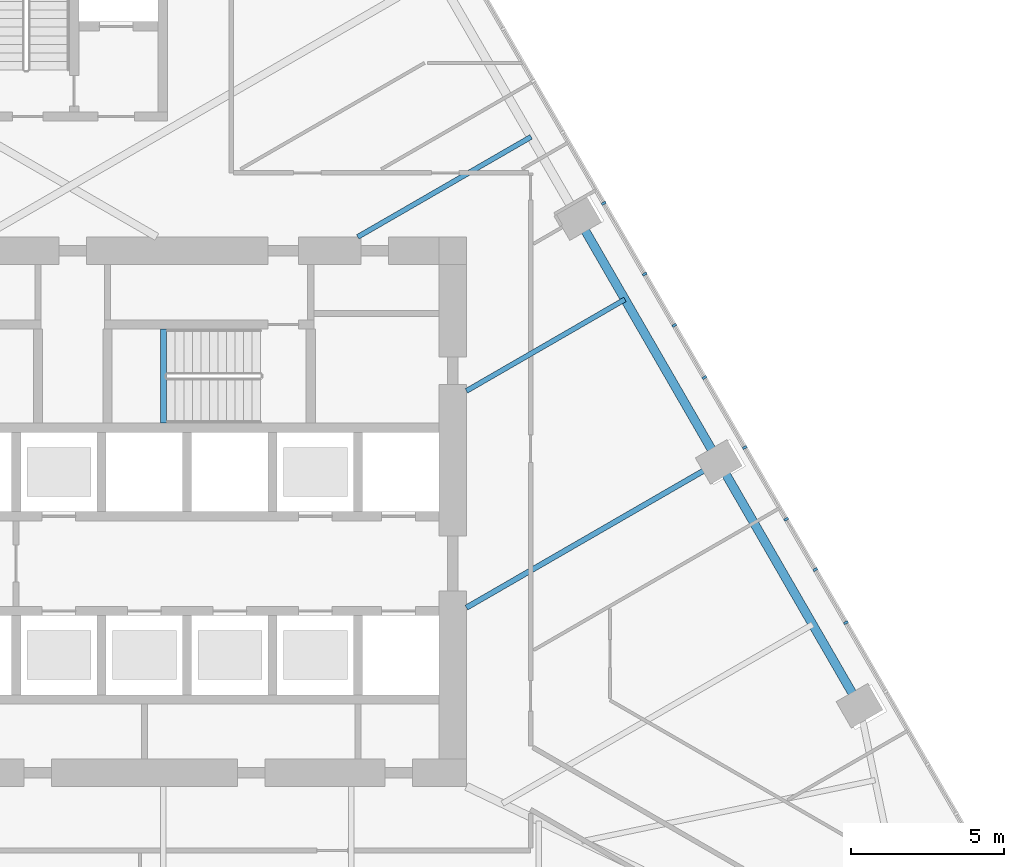
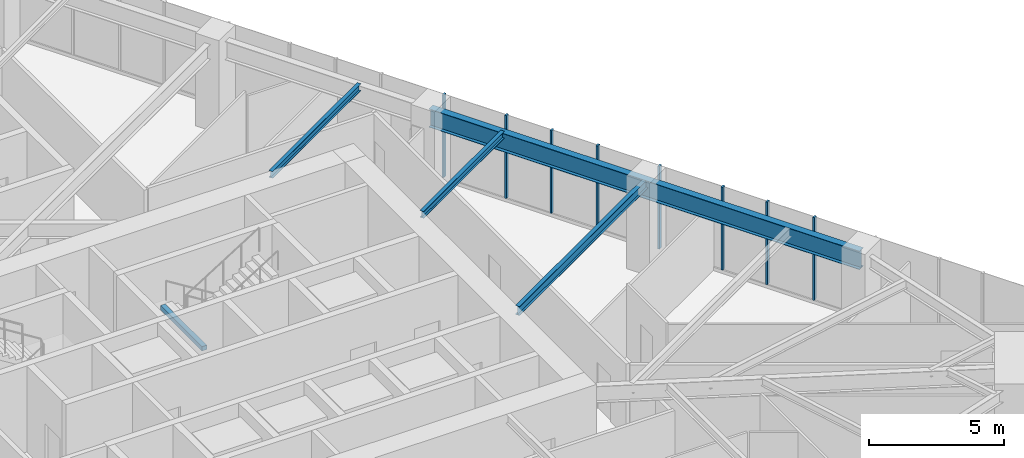
# One storey, part 7 of 19: 8 members, 5 beams, 1 element without a shape of its own.
"""IFC4 building model written with IfcOpenShell, lengths in metres."""

import ifcopenshell
import ifcopenshell.guid

model = None  # the IFC model being written
_history = None  # IfcOwnerHistory: only IFC2X3 demands one
_inside = {}  # id of a spatial element -> (the spatial element, [elements in it])
_under = {}  # id of a project, library or spatial element -> (it, [spatial elements below it])
_declared = {}  # id of a project -> (the project, [libraries it declares])
_typed = {}  # id of a type object -> (the type object, [elements of that type])
_made_of = {}  # id of a material, layer set ... -> (it, [elements and type objects made of it])


def new_model(schema):
    """Start an empty IFC model of exactly this schema.

    Asked for "IFC4X3", IfcOpenShell would pick the latest addendum, in which some entities
    have other attributes; the version numbers below select the first issue.
    IFC2X3 requires an IfcOwnerHistory on every rooted entity: one is made here for all.
    """
    global model, _history
    if schema == "IFC4X3":
        model = ifcopenshell.file(schema_version=(4, 3, 0, 0))
    else:
        model = ifcopenshell.file(schema=schema)
    _inside.clear()
    _under.clear()
    _declared.clear()
    _typed.clear()
    _made_of.clear()
    _history = None
    if model.schema == "IFC2X3":
        org = make("IfcOrganization", Name="unknown")
        user = make(
            "IfcPersonAndOrganization",
            ThePerson=make("IfcPerson", FamilyName="unknown"),
            TheOrganization=org,
        )
        app = make(
            "IfcApplication",
            ApplicationDeveloper=org,
            Version="unknown",
            ApplicationFullName="unknown",
            ApplicationIdentifier="unknown",
        )
        _history = make(
            "IfcOwnerHistory",
            OwningUser=user,
            OwningApplication=app,
            ChangeAction="ADDED",
            CreationDate=0,
        )
    return model


def make(cls, **values):
    """One entity of the class cls with the attributes given. An attribute that is None is left unset."""
    return model.create_entity(
        cls, **{name: value for name, value in values.items() if value is not None}
    )


def rooted(cls, **values):
    """An entity with a GlobalId (a new one), such as an element, a storey or a relation."""
    return make(cls, GlobalId=ifcopenshell.guid.new(), OwnerHistory=_history, **values)


def si_unit(unit_type, name, prefix=None):
    """IfcSIUnit, for example si_unit("LENGTHUNIT", "METRE", prefix="MILLI")."""
    return make("IfcSIUnit", UnitType=unit_type, Prefix=prefix, Name=name)


def assignment(units):
    """IfcUnitAssignment: the units of a project."""
    return None if units is None else make("IfcUnitAssignment", Units=units)


def point(xyz):
    """IfcCartesianPoint."""
    return None if xyz is None else make("IfcCartesianPoint", Coordinates=xyz)


def direction(xyz):
    """IfcDirection."""
    return None if xyz is None else make("IfcDirection", DirectionRatios=xyz)


def frame(location, z_axis=None, x_axis=None):
    """IfcAxis2Placement3D, a coordinate frame: its origin and axes. An axis left out is left unset."""
    return make(
        "IfcAxis2Placement3D",
        Location=point(location),
        Axis=direction(z_axis),
        RefDirection=direction(x_axis),
    )


def frame_2d(location, x_axis=None):
    """IfcAxis2Placement2D, a coordinate frame in the plane: its origin and x axis."""
    return make(
        "IfcAxis2Placement2D", Location=point(location), RefDirection=direction(x_axis)
    )


def origin():
    """The frame at (0, 0, 0) with its axes left unset."""
    return frame((0.0, 0.0, 0.0))


def origin_2d():
    """The frame at (0, 0) in the plane with its x axis left unset."""
    return frame_2d((0.0, 0.0))


def place(relative_to, where):
    """IfcLocalPlacement: puts the frame where relative to a parent placement (None: the world)."""
    return make(
        "IfcLocalPlacement", PlacementRelTo=relative_to, RelativePlacement=where
    )


def context(
    kind, dimensions, precision=None, world=None, true_north=None, identifier=None
):
    """IfcGeometricRepresentationContext, for example the 3D "Model" context."""
    return make(
        "IfcGeometricRepresentationContext",
        ContextIdentifier=identifier,
        ContextType=kind,
        CoordinateSpaceDimension=dimensions,
        Precision=precision,
        WorldCoordinateSystem=world,
        TrueNorth=true_north,
    )


def subcontext(parent, identifier, kind, view, scale=None):
    """IfcGeometricRepresentationSubContext, for example "Body" below "Model"."""
    return make(
        "IfcGeometricRepresentationSubContext",
        ContextIdentifier=identifier,
        ContextType=kind,
        ParentContext=parent,
        TargetScale=scale,
        TargetView=view,
    )


def project(units=None, contexts=None):
    """IfcProject with its units and contexts."""
    return rooted(
        "IfcProject",
        Name="project",
        RepresentationContexts=contexts,
        UnitsInContext=assignment(units),
    )


def spatial(cls, under=None, at=None, **own):
    """A site, building, storey or space (cls), placed at a placement, below another one or the project."""
    s = rooted(cls, ObjectPlacement=at, **own)
    if under is not None:
        _under.setdefault(under.id(), (under, []))[1].append(s)
    return s


def profile(cls, at=None, kind="AREA", **sizes):
    """A parametric profile (cls). Its sizes go by their IFC names, for example OverallWidth=200.0."""
    return make(cls, ProfileType=kind, Position=at, **sizes)


def rectangle(**sizes):
    """IfcRectangleProfileDef."""
    return profile("IfcRectangleProfileDef", **sizes)


def i_section(**sizes):
    """IfcIShapeProfileDef."""
    return profile("IfcIShapeProfileDef", **sizes)


def extrude(swept, where, along, depth):
    """IfcExtrudedAreaSolid: the profile swept, set in the frame where, extruded along a direction by depth."""
    return make(
        "IfcExtrudedAreaSolid",
        SweptArea=swept,
        Position=where,
        ExtrudedDirection=direction(along),
        Depth=depth,
    )


def shape(context_of_items, identifier, shape_type, items):
    """IfcShapeRepresentation: the items that make up one representation, for example the "Body"."""
    return make(
        "IfcShapeRepresentation",
        ContextOfItems=context_of_items,
        RepresentationIdentifier=identifier,
        RepresentationType=shape_type,
        Items=items,
    )


def material(Name=None, Category=None):
    """IfcMaterial."""
    return make("IfcMaterial", Name=Name, Category=Category)


def layer(
    of_material, thickness, ventilated=None, Name=None, Category=None, Priority=None
):
    """IfcMaterialLayer: one layer of a wall or slab, of a material (None: an air gap)."""
    return make(
        "IfcMaterialLayer",
        Material=of_material,
        LayerThickness=thickness,
        IsVentilated=ventilated,
        Name=Name,
        Category=Category,
        Priority=Priority,
    )


def layer_set(layers, Name=None):
    """IfcMaterialLayerSet."""
    return make("IfcMaterialLayerSet", MaterialLayers=layers, LayerSetName=Name)


def material_profile(
    of_material, cross_section, Name=None, Category=None, Priority=None
):
    """IfcMaterialProfile: a cross section and its material."""
    return make(
        "IfcMaterialProfile",
        Name=Name,
        Material=of_material,
        Profile=cross_section,
        Priority=Priority,
        Category=Category,
    )


def profile_set(profiles, Name=None, composite=None):
    """IfcMaterialProfileSet."""
    return make(
        "IfcMaterialProfileSet",
        Name=Name,
        MaterialProfiles=profiles,
        CompositeProfile=composite,
    )


def made_of(thing, what):
    """Note that an element or type object is made of a material, layer set ...; save() writes the relation."""
    if what is not None:
        _made_of.setdefault(what.id(), (what, []))[1].append(thing)
    return thing


def type_object(cls, material=None, **own):
    """A type object (cls), such as IfcWallType, which elements share."""
    return made_of(rooted(cls, **own), material)


def element(
    cls,
    number,
    at=None,
    inside=None,
    cuts=None,
    type_object=None,
    material=None,
    context=None,
    identifier="Body",
    shape_type=None,
    held_by="IfcProductDefinitionShape",
    body=None,
    shapes=None,
    **own,
):
    """One element of the class cls, such as IfcWall. Its Tag is "e" and its number.

    at: its placement. inside: the storey or other place that contains it. cuts: it is an
    opening in that element (IfcRelVoidsElement). A single representation is given by context,
    identifier, shape_type and body (its items); several are given by shapes. held_by: the class
    of the entity that holds the representations. save() writes the other relations.
    """
    e = rooted(cls, Tag="e%d" % number, ObjectPlacement=at, **own)
    if body is not None:
        shapes = [shape(context, identifier, shape_type, body)]
    if shapes is not None:
        e.Representation = make(held_by, Representations=shapes)
    if inside is not None:
        _inside.setdefault(inside.id(), (inside, []))[1].append(e)
    if cuts is not None:
        rooted(
            "IfcRelVoidsElement", RelatingBuildingElement=cuts, RelatedOpeningElement=e
        )
    if type_object is not None:
        _typed.setdefault(type_object.id(), (type_object, []))[1].append(e)
    return made_of(e, material)


def aggregate(whole, parts):
    """IfcRelAggregates: a whole, such as a stair, and the parts it consists of."""
    return rooted("IfcRelAggregates", RelatingObject=whole, RelatedObjects=parts)


def save(model, path):
    """Write the relations noted so far, then the file.

    IfcRelAggregates (storeys below a building ...), IfcRelContainedInSpatialStructure (elements
    in a storey), IfcRelDefinesByType, IfcRelAssociatesMaterial and IfcRelDeclares: one each for
    every whole, place, type object, material and project.
    """
    for whole, parts in _under.values():
        aggregate(whole, parts)
    for where, things in _inside.values():
        rooted(
            "IfcRelContainedInSpatialStructure",
            RelatedElements=things,
            RelatingStructure=where,
        )
    for kind, things in _typed.values():
        rooted("IfcRelDefinesByType", RelatedObjects=things, RelatingType=kind)
    for what, things in _made_of.values():
        rooted("IfcRelAssociatesMaterial", RelatedObjects=things, RelatingMaterial=what)
    for by, libraries in _declared.values():
        rooted("IfcRelDeclares", RelatingContext=by, RelatedDefinitions=libraries)
    model.write(path)


model = new_model("IFC4")

# Units and contexts
model_context = context("Model", 3, precision=1e-05, world=origin(), true_north=direction((0.0, 1.0)))
body_context = subcontext(model_context, "Body", "Model", "MODEL_VIEW")
ifc_project = project(units=[si_unit("LENGTHUNIT", "METRE"), si_unit("AREAUNIT", "SQUARE_METRE"), si_unit("VOLUMEUNIT", "CUBIC_METRE"), si_unit("PLANEANGLEUNIT", "RADIAN"), si_unit("MASSUNIT", "GRAM", prefix="KILO")], contexts=[model_context])

# Site, building, storey
site_placement = place(None, origin())
site = spatial("IfcSite", under=ifc_project, at=site_placement, CompositionType="ELEMENT")
building_placement = place(site_placement, origin())
building = spatial("IfcBuilding", under=site, at=building_placement, Name="Firuza Gate Tower and Library", CompositionType="ELEMENT")
storey_placement = place(building_placement, frame((0.0, 0.0, 136.60009765625)))
storey = spatial("IfcBuildingStorey", under=building, at=storey_placement, Name="L31", CompositionType="ELEMENT", Elevation=136.60009765625)

# Curtain wall, members
ifc_material_1 = material(Name="Aluminium 6063-T6", Category="aluminium")
ifc_layer = layer(ifc_material_1, 0.14990234375)
ifc_layer_set = layer_set([ifc_layer], Name="Unitised curtain wall, offices")
curtain_wall_type = type_object("IfcCurtainWallType", Name="Unitised curtain wall, offices", PredefinedType="NOTDEFINED", material=ifc_layer_set)
curtain_wall_placement = place(storey_placement, origin())
curtain_wall = element("IfcCurtainWall", 1, at=curtain_wall_placement, inside=storey, type_object=curtain_wall_type, Name="CW1 L31 E face", PredefinedType="NOTDEFINED")
ifc_material_2 = material(Name="Aluminium 6063-T6", Category="aluminium")
ifc_material_profile_1 = material_profile(ifc_material_2, rectangle(XDim=0.14990234375, YDim=0.080078125, at=origin_2d()))
ifc_profile_set_1 = profile_set([ifc_material_profile_1], Name="Aluminium 6063-T6")
member_type = type_object("IfcMemberType", Name="Curtain wall mullion 80x150", PredefinedType="MULLION", material=ifc_profile_set_1)
member_1_placement = place(storey_placement, frame((99.427734375, 73.103515625, 0.14990234375), z_axis=(0.0, 0.0, 1.0), x_axis=(-0.866025403784, -0.5, 0.0)))
member_1 = element("IfcMember", 2, at=member_1_placement, type_object=member_type, Name="Mullion", PredefinedType="MULLION", context=body_context, shape_type="SweptSolid", body=[
    extrude(rectangle(XDim=0.14990234375, YDim=0.080078125, at=origin_2d()), origin(), (0.0, 0.0, 1.0), 3.75),
])
member_2_placement = place(storey_placement, frame((97.118408203125, 77.103515625, 0.14990234375), z_axis=(0.0, 0.0, 1.0), x_axis=(-0.866025403784, -0.5, 0.0)))
member_2 = element("IfcMember", 3, at=member_2_placement, type_object=member_type, Name="Mullion", PredefinedType="MULLION", context=body_context, shape_type="SweptSolid", body=[
    extrude(rectangle(XDim=0.14990234375, YDim=0.080078125, at=origin_2d()), origin(), (0.0, 0.0, 1.0), 3.75),
])
member_3_placement = place(storey_placement, frame((94.80908203125, 81.103515625, 0.14990234375), z_axis=(0.0, 0.0, 1.0), x_axis=(-0.866025403784, -0.5, 0.0)))
member_3 = element("IfcMember", 4, at=member_3_placement, type_object=member_type, Name="Mullion", PredefinedType="MULLION", context=body_context, shape_type="SweptSolid", body=[
    extrude(rectangle(XDim=0.14990234375, YDim=0.080078125, at=origin_2d()), origin(), (0.0, 0.0, 1.0), 3.75),
])
member_4_placement = place(storey_placement, frame((92.499755859375, 85.103515625, 0.14990234375), z_axis=(0.0, 0.0, 1.0), x_axis=(-0.866025403784, -0.5, 0.0)))
member_4 = element("IfcMember", 5, at=member_4_placement, type_object=member_type, Name="Mullion", PredefinedType="MULLION", context=body_context, shape_type="SweptSolid", body=[
    extrude(rectangle(XDim=0.14990234375, YDim=0.080078125, at=origin_2d()), origin(), (0.0, 0.0, 1.0), 3.75),
])
member_5_placement = place(storey_placement, frame((100.431884765625, 71.3642578125, 0.14990234375), z_axis=(0.0, 0.0, 1.0), x_axis=(-0.866025403784, -0.5, 0.0)))
member_5 = element("IfcMember", 6, at=member_5_placement, type_object=member_type, Name="Mullion", PredefinedType="MULLION", context=body_context, shape_type="SweptSolid", body=[
    extrude(rectangle(XDim=0.14990234375, YDim=0.080078125, at=origin_2d()), origin(), (0.0, 0.0, 1.0), 3.75),
])
member_6_placement = place(storey_placement, frame((98.475830078125, 74.75244140625, 0.14990234375), z_axis=(0.0, 0.0, 1.0), x_axis=(-0.866025403784, -0.5, 0.0)))
member_6 = element("IfcMember", 7, at=member_6_placement, type_object=member_type, Name="Mullion", PredefinedType="MULLION", context=body_context, shape_type="SweptSolid", body=[
    extrude(rectangle(XDim=0.14990234375, YDim=0.080078125, at=origin_2d()), origin(), (0.0, 0.0, 1.0), 3.75),
])
member_7_placement = place(storey_placement, frame((95.795654296875, 79.394287109375, 0.14990234375), z_axis=(0.0, 0.0, 1.0), x_axis=(-0.866025403784, -0.5, 0.0)))
member_7 = element("IfcMember", 8, at=member_7_placement, type_object=member_type, Name="Mullion", PredefinedType="MULLION", context=body_context, shape_type="SweptSolid", body=[
    extrude(rectangle(XDim=0.14990234375, YDim=0.080078125, at=origin_2d()), origin(), (0.0, 0.0, 1.0), 3.75),
])
member_8_placement = place(storey_placement, frame((93.839599609375, 82.782470703125, 0.14990234375), z_axis=(0.0, 0.0, 1.0), x_axis=(-0.866025403784, -0.5, 0.0)))
member_8 = element("IfcMember", 9, at=member_8_placement, type_object=member_type, Name="Mullion", PredefinedType="MULLION", context=body_context, shape_type="SweptSolid", body=[
    extrude(rectangle(XDim=0.14990234375, YDim=0.080078125, at=origin_2d()), origin(), (0.0, 0.0, 1.0), 3.75),
])
aggregate(curtain_wall, [member_1, member_2, member_3, member_4, member_5, member_6, member_7, member_8])

# Beams
ifc_material_3 = material(Name="Concrete C35/45", Category="concrete")
ifc_material_profile_2 = material_profile(ifc_material_3, rectangle(XDim=0.199951171875, YDim=0.199951171875, at=origin_2d()))
ifc_profile_set_2 = profile_set([ifc_material_profile_2], Name="Concrete C35/45")
beam_type_1 = type_object("IfcBeamType", Name="Stair landing bearer 200x200", PredefinedType="BEAM", material=ifc_profile_set_2)
beam_1_placement = place(storey_placement, frame((78.080078125, 80.97998046875, 1.7998046875), z_axis=(0.0, -1.0, 0.0), x_axis=(1.0, 0.0, 0.0)))
element("IfcBeam", 10, at=beam_1_placement, inside=storey, type_object=beam_type_1, Name="Landing bearer L31 stair 2", PredefinedType="BEAM", context=body_context, shape_type="SweptSolid", body=[
    extrude(rectangle(XDim=0.199951171875, YDim=0.199951171875, at=origin_2d()), origin(), (0.0, 0.0, 1.0), 3.080078125),
])
ifc_material_4 = material(Name="Steel S355", Category="steel")
ifc_material_profile_3 = material_profile(ifc_material_4, i_section(OverallWidth=0.1650390625, OverallDepth=0.31005859375, WebThickness=0.005859375, FlangeThickness=0.009765625, at=origin_2d()))
ifc_profile_set_3 = profile_set([ifc_material_profile_3], Name="Steel S355")
beam_type_2 = type_object("IfcBeamType", Name="W310x39 Floor beam", PredefinedType="JOIST", material=ifc_profile_set_3)
beam_2_placement = place(storey_placement, frame((93.1923828125, 81.953369140625, 3.744873046875), z_axis=(-0.866026911773, -0.499997388079, 0.0), x_axis=(0.499997388079, -0.866026911773, 0.0)))
element("IfcBeam", 11, at=beam_2_placement, inside=storey, type_object=beam_type_2, Name="Floor beam L31 s52", PredefinedType="JOIST", context=body_context, shape_type="SweptSolid", body=[
    extrude(i_section(OverallWidth=0.1650390625, OverallDepth=0.31005859375, WebThickness=0.005859375, FlangeThickness=0.009765625, at=origin_2d()), origin(), (0.0, 0.0, 1.0), 5.99560546875),
])
beam_3_placement = place(storey_placement, frame((90.1181640625, 87.2783203125, 3.744873046875), z_axis=(-0.866034914745, -0.499983526171, 0.0), x_axis=(0.499983526171, -0.866034914745, 0.0)))
element("IfcBeam", 12, at=beam_3_placement, inside=storey, type_object=beam_type_2, Name="Floor beam L31 s53", PredefinedType="JOIST", context=body_context, shape_type="SweptSolid", body=[
    extrude(i_section(OverallWidth=0.1650390625, OverallDepth=0.31005859375, WebThickness=0.005859375, FlangeThickness=0.009765625, at=origin_2d()), origin(), (0.0, 0.0, 1.0), 6.556884765625),
])
ifc_material_5 = material(Name="Steel S355", Category="steel")
ifc_material_profile_4 = material_profile(ifc_material_5, i_section(OverallWidth=0.177978515625, OverallDepth=0.406982421875, WebThickness=0.0078125, FlangeThickness=0.0126953125, at=origin_2d()))
ifc_profile_set_4 = profile_set([ifc_material_profile_4], Name="Steel S355")
beam_type_3 = type_object("IfcBeamType", Name="W410x60 Floor beam", PredefinedType="JOIST", material=ifc_profile_set_4)
beam_4_placement = place(storey_placement, frame((96.266845703125, 76.62841796875, 3.6962890625), z_axis=(-0.866032684974, -0.499987388398, 0.0), x_axis=(0.499987388398, -0.866032684974, 0.0)))
element("IfcBeam", 13, at=beam_4_placement, inside=storey, type_object=beam_type_3, Name="Floor beam L31 s51", PredefinedType="JOIST", context=body_context, shape_type="SweptSolid", body=[
    extrude(i_section(OverallWidth=0.177978515625, OverallDepth=0.406982421875, WebThickness=0.0078125, FlangeThickness=0.0126953125, at=origin_2d()), origin(), (0.0, 0.0, 1.0), 9.545654296875),
])
ifc_material_6 = material(Name="Steel S355", Category="steel")
ifc_material_profile_5 = material_profile(ifc_material_6, i_section(OverallWidth=0.2919921875, OverallDepth=0.8349609375, WebThickness=0.013916015625, FlangeThickness=0.018798828125, at=origin_2d()))
ifc_profile_set_5 = profile_set([ifc_material_profile_5], Name="Steel S355")
beam_type_4 = type_object("IfcBeamType", Name="W840x176 Edge beam", PredefinedType="SPANDREL", material=ifc_profile_set_5)
beam_5_placement = place(storey_placement, frame((100.87841796875, 68.64111328125, 3.482421875), z_axis=(-0.500002380722, 0.86602402927, 0.0), x_axis=(-0.86602402927, -0.500002380722, 0.0)))
element("IfcBeam", 14, at=beam_5_placement, inside=storey, type_object=beam_type_4, Name="Edge beam L31 e50", PredefinedType="SPANDREL", context=body_context, shape_type="SweptSolid", body=[
    extrude(i_section(OverallWidth=0.2919921875, OverallDepth=0.8349609375, WebThickness=0.013916015625, FlangeThickness=0.018798828125, at=origin_2d()), origin(), (0.0, 0.0, 1.0), 18.4462890625),
])

save(model, "model.ifc")
